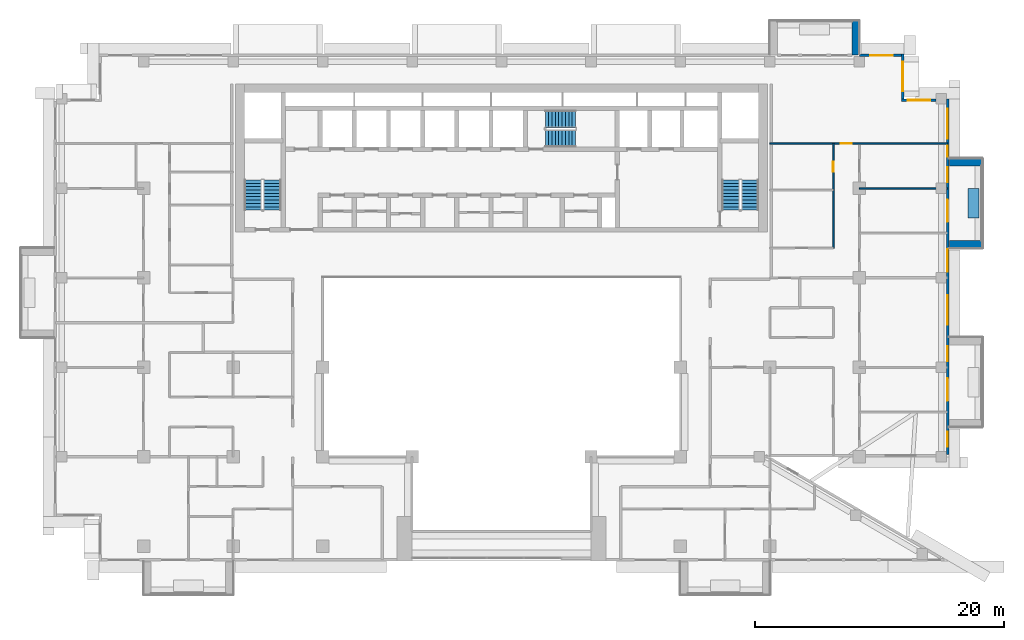
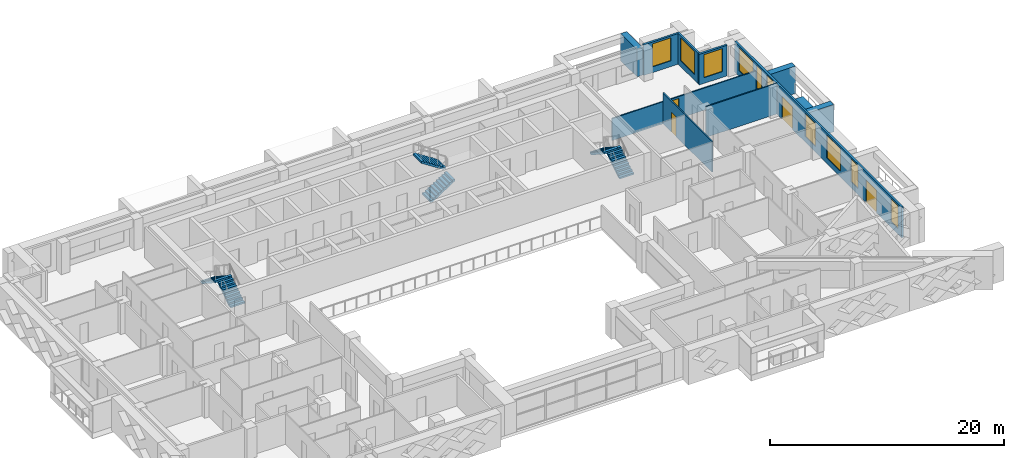
# One storey, part 12 of 19: 11 walls, 10 windows, 6 stair flights, 4 doors, 14 openings, 3 elements without a shape of their own.
"""IFC4 building model written with IfcOpenShell, lengths in metres."""

import ifcopenshell
import ifcopenshell.guid

model = None  # the IFC model being written
_history = None  # IfcOwnerHistory: only IFC2X3 demands one
_inside = {}  # id of a spatial element -> (the spatial element, [elements in it])
_under = {}  # id of a project, library or spatial element -> (it, [spatial elements below it])
_declared = {}  # id of a project -> (the project, [libraries it declares])
_typed = {}  # id of a type object -> (the type object, [elements of that type])
_made_of = {}  # id of a material, layer set ... -> (it, [elements and type objects made of it])


def new_model(schema):
    """Start an empty IFC model of exactly this schema.

    Asked for "IFC4X3", IfcOpenShell would pick the latest addendum, in which some entities
    have other attributes; the version numbers below select the first issue.
    IFC2X3 requires an IfcOwnerHistory on every rooted entity: one is made here for all.
    """
    global model, _history
    if schema == "IFC4X3":
        model = ifcopenshell.file(schema_version=(4, 3, 0, 0))
    else:
        model = ifcopenshell.file(schema=schema)
    _inside.clear()
    _under.clear()
    _declared.clear()
    _typed.clear()
    _made_of.clear()
    _history = None
    if model.schema == "IFC2X3":
        org = make("IfcOrganization", Name="unknown")
        user = make(
            "IfcPersonAndOrganization",
            ThePerson=make("IfcPerson", FamilyName="unknown"),
            TheOrganization=org,
        )
        app = make(
            "IfcApplication",
            ApplicationDeveloper=org,
            Version="unknown",
            ApplicationFullName="unknown",
            ApplicationIdentifier="unknown",
        )
        _history = make(
            "IfcOwnerHistory",
            OwningUser=user,
            OwningApplication=app,
            ChangeAction="ADDED",
            CreationDate=0,
        )
    return model


def make(cls, **values):
    """One entity of the class cls with the attributes given. An attribute that is None is left unset."""
    return model.create_entity(
        cls, **{name: value for name, value in values.items() if value is not None}
    )


def rooted(cls, **values):
    """An entity with a GlobalId (a new one), such as an element, a storey or a relation."""
    return make(cls, GlobalId=ifcopenshell.guid.new(), OwnerHistory=_history, **values)


def si_unit(unit_type, name, prefix=None):
    """IfcSIUnit, for example si_unit("LENGTHUNIT", "METRE", prefix="MILLI")."""
    return make("IfcSIUnit", UnitType=unit_type, Prefix=prefix, Name=name)


def assignment(units):
    """IfcUnitAssignment: the units of a project."""
    return None if units is None else make("IfcUnitAssignment", Units=units)


def point(xyz):
    """IfcCartesianPoint."""
    return None if xyz is None else make("IfcCartesianPoint", Coordinates=xyz)


def direction(xyz):
    """IfcDirection."""
    return None if xyz is None else make("IfcDirection", DirectionRatios=xyz)


def frame(location, z_axis=None, x_axis=None):
    """IfcAxis2Placement3D, a coordinate frame: its origin and axes. An axis left out is left unset."""
    return make(
        "IfcAxis2Placement3D",
        Location=point(location),
        Axis=direction(z_axis),
        RefDirection=direction(x_axis),
    )


def frame_2d(location, x_axis=None):
    """IfcAxis2Placement2D, a coordinate frame in the plane: its origin and x axis."""
    return make(
        "IfcAxis2Placement2D", Location=point(location), RefDirection=direction(x_axis)
    )


def origin():
    """The frame at (0, 0, 0) with its axes left unset."""
    return frame((0.0, 0.0, 0.0))


def place(relative_to, where):
    """IfcLocalPlacement: puts the frame where relative to a parent placement (None: the world)."""
    return make(
        "IfcLocalPlacement", PlacementRelTo=relative_to, RelativePlacement=where
    )


def context(
    kind, dimensions, precision=None, world=None, true_north=None, identifier=None
):
    """IfcGeometricRepresentationContext, for example the 3D "Model" context."""
    return make(
        "IfcGeometricRepresentationContext",
        ContextIdentifier=identifier,
        ContextType=kind,
        CoordinateSpaceDimension=dimensions,
        Precision=precision,
        WorldCoordinateSystem=world,
        TrueNorth=true_north,
    )


def subcontext(parent, identifier, kind, view, scale=None):
    """IfcGeometricRepresentationSubContext, for example "Body" below "Model"."""
    return make(
        "IfcGeometricRepresentationSubContext",
        ContextIdentifier=identifier,
        ContextType=kind,
        ParentContext=parent,
        TargetScale=scale,
        TargetView=view,
    )


def project(units=None, contexts=None):
    """IfcProject with its units and contexts."""
    return rooted(
        "IfcProject",
        Name="project",
        RepresentationContexts=contexts,
        UnitsInContext=assignment(units),
    )


def spatial(cls, under=None, at=None, **own):
    """A site, building, storey or space (cls), placed at a placement, below another one or the project."""
    s = rooted(cls, ObjectPlacement=at, **own)
    if under is not None:
        _under.setdefault(under.id(), (under, []))[1].append(s)
    return s


def polyline(points):
    """IfcPolyline through the points."""
    return make("IfcPolyline", Points=[point(p) for p in points])


def profile(cls, at=None, kind="AREA", **sizes):
    """A parametric profile (cls). Its sizes go by their IFC names, for example OverallWidth=200.0."""
    return make(cls, ProfileType=kind, Position=at, **sizes)


def rectangle(**sizes):
    """IfcRectangleProfileDef."""
    return profile("IfcRectangleProfileDef", **sizes)


def outline(outer, holes=None, kind="AREA"):
    """IfcArbitraryClosedProfileDef: a profile drawn as a closed curve; with holes, ...WithVoids."""
    if holes is None:
        return make("IfcArbitraryClosedProfileDef", ProfileType=kind, OuterCurve=outer)
    return make(
        "IfcArbitraryProfileDefWithVoids",
        ProfileType=kind,
        OuterCurve=outer,
        InnerCurves=holes,
    )


def extrude(swept, where, along, depth):
    """IfcExtrudedAreaSolid: the profile swept, set in the frame where, extruded along a direction by depth."""
    return make(
        "IfcExtrudedAreaSolid",
        SweptArea=swept,
        Position=where,
        ExtrudedDirection=direction(along),
        Depth=depth,
    )


def shape(context_of_items, identifier, shape_type, items):
    """IfcShapeRepresentation: the items that make up one representation, for example the "Body"."""
    return make(
        "IfcShapeRepresentation",
        ContextOfItems=context_of_items,
        RepresentationIdentifier=identifier,
        RepresentationType=shape_type,
        Items=items,
    )


def material(Name=None, Category=None):
    """IfcMaterial."""
    return make("IfcMaterial", Name=Name, Category=Category)


def layer(
    of_material, thickness, ventilated=None, Name=None, Category=None, Priority=None
):
    """IfcMaterialLayer: one layer of a wall or slab, of a material (None: an air gap)."""
    return make(
        "IfcMaterialLayer",
        Material=of_material,
        LayerThickness=thickness,
        IsVentilated=ventilated,
        Name=Name,
        Category=Category,
        Priority=Priority,
    )


def layer_set(layers, Name=None):
    """IfcMaterialLayerSet."""
    return make("IfcMaterialLayerSet", MaterialLayers=layers, LayerSetName=Name)


def made_of(thing, what):
    """Note that an element or type object is made of a material, layer set ...; save() writes the relation."""
    if what is not None:
        _made_of.setdefault(what.id(), (what, []))[1].append(thing)
    return thing


def type_object(cls, material=None, **own):
    """A type object (cls), such as IfcWallType, which elements share."""
    return made_of(rooted(cls, **own), material)


def element(
    cls,
    number,
    at=None,
    inside=None,
    cuts=None,
    type_object=None,
    material=None,
    context=None,
    identifier="Body",
    shape_type=None,
    held_by="IfcProductDefinitionShape",
    body=None,
    shapes=None,
    **own,
):
    """One element of the class cls, such as IfcWall. Its Tag is "e" and its number.

    at: its placement. inside: the storey or other place that contains it. cuts: it is an
    opening in that element (IfcRelVoidsElement). A single representation is given by context,
    identifier, shape_type and body (its items); several are given by shapes. held_by: the class
    of the entity that holds the representations. save() writes the other relations.
    """
    e = rooted(cls, Tag="e%d" % number, ObjectPlacement=at, **own)
    if body is not None:
        shapes = [shape(context, identifier, shape_type, body)]
    if shapes is not None:
        e.Representation = make(held_by, Representations=shapes)
    if inside is not None:
        _inside.setdefault(inside.id(), (inside, []))[1].append(e)
    if cuts is not None:
        rooted(
            "IfcRelVoidsElement", RelatingBuildingElement=cuts, RelatedOpeningElement=e
        )
    if type_object is not None:
        _typed.setdefault(type_object.id(), (type_object, []))[1].append(e)
    return made_of(e, material)


def fill(opening, filler):
    """IfcRelFillsElement: the door or window that sits in an opening."""
    return rooted(
        "IfcRelFillsElement",
        RelatingOpeningElement=opening,
        RelatedBuildingElement=filler,
    )


def aggregate(whole, parts):
    """IfcRelAggregates: a whole, such as a stair, and the parts it consists of."""
    return rooted("IfcRelAggregates", RelatingObject=whole, RelatedObjects=parts)


def save(model, path):
    """Write the relations noted so far, then the file.

    IfcRelAggregates (storeys below a building ...), IfcRelContainedInSpatialStructure (elements
    in a storey), IfcRelDefinesByType, IfcRelAssociatesMaterial and IfcRelDeclares: one each for
    every whole, place, type object, material and project.
    """
    for whole, parts in _under.values():
        aggregate(whole, parts)
    for where, things in _inside.values():
        rooted(
            "IfcRelContainedInSpatialStructure",
            RelatedElements=things,
            RelatingStructure=where,
        )
    for kind, things in _typed.values():
        rooted("IfcRelDefinesByType", RelatedObjects=things, RelatingType=kind)
    for what, things in _made_of.values():
        rooted("IfcRelAssociatesMaterial", RelatedObjects=things, RelatingMaterial=what)
    for by, libraries in _declared.values():
        rooted("IfcRelDeclares", RelatingContext=by, RelatedDefinitions=libraries)
    model.write(path)


model = new_model("IFC4")

# Units and contexts
model_context = context("Model", 3, precision=1e-05, world=origin(), true_north=direction((0.0, 1.0)))
body_context = subcontext(model_context, "Body", "Model", "MODEL_VIEW")
ifc_project = project(units=[si_unit("LENGTHUNIT", "METRE"), si_unit("AREAUNIT", "SQUARE_METRE"), si_unit("VOLUMEUNIT", "CUBIC_METRE"), si_unit("PLANEANGLEUNIT", "RADIAN"), si_unit("MASSUNIT", "GRAM", prefix="KILO")], contexts=[model_context])

# Site, building, storey
site_placement = place(None, origin())
site = spatial("IfcSite", under=ifc_project, at=site_placement, CompositionType="ELEMENT")
building_placement = place(site_placement, origin())
building = spatial("IfcBuilding", under=site, at=building_placement, Name="Saffron Iwan Residences", CompositionType="ELEMENT")
storey_placement = place(building_placement, frame((0.0, 0.0, 160.5)))
storey = spatial("IfcBuildingStorey", under=building, at=storey_placement, Name="L42", CompositionType="ELEMENT", Elevation=160.5)

# Walls
ifc_material_1 = material(Name="Concrete C50/60 white painted", Category="concrete")
ifc_layer_1 = layer(ifc_material_1, 0.60009765625)
ifc_layer_set_1 = layer_set([ifc_layer_1], Name="Concrete C50/60 white painted")
wall_type_1 = type_object("IfcWallType", Name="BALCONY FIN 600", PredefinedType="SOLIDWALL", material=ifc_layer_set_1)
for number, where, z_axis, x_axis, name in (
    (1, (86.449951171875, 65.10009765625, 0.0), (0.0, 0.0, 1.0), (1.0, 0.0, 0.0), "Balcony fin L42 F2-1a"),
    (2, (86.449951171875, 71.699951171875, 0.0), (0.0, 0.0, 1.0), (1.0, 0.0, 0.0), "Balcony fin L42 F2-1b"),
):
    element("IfcWall", number, at=place(storey_placement, frame(where, z_axis=z_axis, x_axis=x_axis)), inside=storey, type_object=wall_type_1, Name=name, PredefinedType="SOLIDWALL", context=body_context, shape_type="SweptSolid", body=[
        extrude(rectangle(XDim=2.650146484375, YDim=0.60009765625, at=frame_2d((1.3251953125, 0.0))), origin(), (0.0, 0.0, 1.0), 2.85009765625),
    ])
wall_1_placement = place(storey_placement, frame((78.89990234375, 80.324951171875, 0.0), z_axis=(0.0, 0.0, 1.0), x_axis=(0.0, 1.0, 0.0)))
element("IfcWall", 3, at=wall_1_placement, inside=storey, type_object=wall_type_1, Name="Balcony fin L42 F5-0a", PredefinedType="SOLIDWALL", context=body_context, shape_type="SweptSolid", body=[
    extrude(rectangle(XDim=2.775146484375, YDim=0.60009765625, at=frame_2d((1.3876953125, 0.0))), origin(), (0.0, 0.0, 1.0), 2.85009765625),
])
ifc_material_2 = material(Name="Concrete C35/45 white painted", Category="concrete")
ifc_layer_2 = layer(ifc_material_2, 0.14990234375)
ifc_layer_set_2 = layer_set([ifc_layer_2], Name="Concrete C35/45 white painted")
wall_type_2 = type_object("IfcWallType", Name="BALCONY PLANTER", PredefinedType="SOLIDWALL", material=ifc_layer_set_2)
wall_2_placement = place(storey_placement, frame((88.375, 67.199951171875, 0.0), z_axis=(0.0, 0.0, 1.0), x_axis=(0.0, 1.0, 0.0)))
element("IfcWall", 4, at=wall_2_placement, inside=storey, type_object=wall_type_2, Name="PLANTER L42 F2-1", PredefinedType="SOLIDWALL", context=body_context, shape_type="SweptSolid", body=[
    extrude(rectangle(XDim=2.400146484375, YDim=0.89990234375, at=frame_2d((1.2001953125, 0.0))), origin(), (0.0, 0.0, 1.0), 0.89990234375),
])

# Wall, openings, doors, windows
ifc_material_3 = material(Name="Concrete C40/50", Category="concrete")
ifc_layer_3 = layer(ifc_material_3, 0.199951171875)
ifc_layer_set_3 = layer_set([ifc_layer_3], Name="Concrete C40/50")
wall_type_3 = type_object("IfcWallType", Name="EXTERNAL WALL 200", PredefinedType="SOLIDWALL", material=ifc_layer_set_3)
wall_3_placement = place(storey_placement, frame((86.300048828125, 48.199951171875, 0.0), z_axis=(0.0, 0.0, 1.0), x_axis=(0.0, 1.0, 0.0)))
wall_3 = element("IfcWall", 5, at=wall_3_placement, inside=storey, type_object=wall_type_3, Name="External wall L42 F2.0", PredefinedType="SOLIDWALL", context=body_context, shape_type="SweptSolid", body=[
    extrude(rectangle(XDim=28.60009765625, YDim=0.199951171875, at=frame_2d((14.300048828125, 0.0))), origin(), (0.0, 0.0, 1.0), 3.199951171875),
])
opening_1_placement = place(wall_3_placement, frame((4.300048828125, 0.0, 0.0)))
opening_1 = element("IfcOpeningElement", 6, at=opening_1_placement, cuts=wall_3, Name="Opening BD1", PredefinedType="OPENING", context=body_context, shape_type="SweptSolid", body=[
    extrude(rectangle(XDim=1.800048828125, YDim=2.39990234375, at=frame_2d((0.89990234375, 1.199951171875))), frame((0.0, 0.10986328125, 0.0), z_axis=(0.0, -1.0, 0.0), x_axis=(1.0, 0.0, 0.0)), (0.0, 0.0, 1.0), 0.219970703125),
])
opening_2_placement = place(wall_3_placement, frame((18.699951171875, 0.0, 0.0)))
opening_2 = element("IfcOpeningElement", 7, at=opening_2_placement, cuts=wall_3, Name="Opening BD1", PredefinedType="OPENING", context=body_context, shape_type="SweptSolid", body=[
    extrude(rectangle(XDim=1.800048828125, YDim=2.39990234375, at=frame_2d((0.89990234375, 1.199951171875))), frame((0.0, 0.10986328125, 0.0), z_axis=(0.0, -1.0, 0.0), x_axis=(1.0, 0.0, 0.0)), (0.0, 0.0, 1.0), 0.219970703125),
])
opening_3_placement = place(wall_3_placement, frame((0.60009765625, 0.0, 0.60009765625)))
opening_3 = element("IfcOpeningElement", 8, at=opening_3_placement, cuts=wall_3, Name="Opening W3", PredefinedType="OPENING", context=body_context, shape_type="SweptSolid", body=[
    extrude(rectangle(XDim=1.199951171875, YDim=2.39990234375, at=frame_2d((0.60009765625, 1.199951171875))), frame((0.0, 0.10986328125, 0.0), z_axis=(0.0, -1.0, 0.0), x_axis=(1.0, 0.0, 0.0)), (0.0, 0.0, 1.0), 0.219970703125),
])
opening_4_placement = place(wall_3_placement, frame((7.487548828125, 0.0, 0.60009765625)))
opening_4 = element("IfcOpeningElement", 9, at=opening_4_placement, cuts=wall_3, Name="Opening W3", PredefinedType="OPENING", context=body_context, shape_type="SweptSolid", body=[
    extrude(rectangle(XDim=1.199951171875, YDim=2.39990234375, at=frame_2d((0.60009765625, 1.199951171875))), frame((0.0, 0.10986328125, 0.0), z_axis=(0.0, -1.0, 0.0), x_axis=(1.0, 0.0, 0.0)), (0.0, 0.0, 1.0), 0.219970703125),
])
opening_5_placement = place(wall_3_placement, frame((10.41259765625, 0.0, 0.60009765625)))
opening_5 = element("IfcOpeningElement", 10, at=opening_5_placement, cuts=wall_3, Name="Opening W1", PredefinedType="OPENING", context=body_context, shape_type="SweptSolid", body=[
    extrude(rectangle(XDim=2.39990234375, YDim=2.39990234375, at=frame_2d((1.199951171875, 1.199951171875))), frame((0.0, 0.10986328125, 0.0), z_axis=(0.0, -1.0, 0.0), x_axis=(1.0, 0.0, 0.0)), (0.0, 0.0, 1.0), 0.219970703125),
])
opening_6_placement = place(wall_3_placement, frame((14.6875, 0.0, 0.60009765625)))
opening_6 = element("IfcOpeningElement", 11, at=opening_6_placement, cuts=wall_3, Name="Opening W8", PredefinedType="OPENING", context=body_context, shape_type="SweptSolid", body=[
    extrude(rectangle(XDim=1.800048828125, YDim=2.39990234375, at=frame_2d((0.89990234375, 1.199951171875))), frame((0.0, 0.10986328125, 0.0), z_axis=(0.0, -1.0, 0.0), x_axis=(1.0, 0.0, 0.0)), (0.0, 0.0, 1.0), 0.219970703125),
])
opening_7_placement = place(wall_3_placement, frame((21.887451171875, 0.0, 0.60009765625)))
opening_7 = element("IfcOpeningElement", 12, at=opening_7_placement, cuts=wall_3, Name="Opening W3", PredefinedType="OPENING", context=body_context, shape_type="SweptSolid", body=[
    extrude(rectangle(XDim=1.199951171875, YDim=2.39990234375, at=frame_2d((0.60009765625, 1.199951171875))), frame((0.0, 0.10986328125, 0.0), z_axis=(0.0, -1.0, 0.0), x_axis=(1.0, 0.0, 0.0)), (0.0, 0.0, 1.0), 0.219970703125),
])
opening_8_placement = place(wall_3_placement, frame((23.949951171875, 0.0, 0.60009765625)))
opening_8 = element("IfcOpeningElement", 13, at=opening_8_placement, cuts=wall_3, Name="Opening W10", PredefinedType="OPENING", context=body_context, shape_type="SweptSolid", body=[
    extrude(rectangle(XDim=0.89990234375, YDim=2.39990234375, at=frame_2d((0.449951171875, 1.199951171875))), frame((0.0, 0.10986328125, 0.0), z_axis=(0.0, -1.0, 0.0), x_axis=(1.0, 0.0, 0.0)), (0.0, 0.0, 1.0), 0.219970703125),
])
opening_9_placement = place(wall_3_placement, frame((25.41259765625, 0.0, 0.60009765625)))
opening_9 = element("IfcOpeningElement", 14, at=opening_9_placement, cuts=wall_3, Name="Opening W1", PredefinedType="OPENING", context=body_context, shape_type="SweptSolid", body=[
    extrude(rectangle(XDim=2.39990234375, YDim=2.39990234375, at=frame_2d((1.199951171875, 1.199951171875))), frame((0.0, 0.10986328125, 0.0), z_axis=(0.0, -1.0, 0.0), x_axis=(1.0, 0.0, 0.0)), (0.0, 0.0, 1.0), 0.219970703125),
])
ifc_material_4 = material(Name="Clear glass, laminated double glazed", Category="glass")
door_type_1 = type_object("IfcDoorType", Name="BALCONY DOOR 1800 x 2400", OperationType="DOUBLE_DOOR_SLIDING", PredefinedType="DOOR", material=ifc_material_4)
door_1_placement = place(opening_1_placement, origin())
door_1 = element("IfcDoor", 15, at=door_1_placement, inside=storey, type_object=door_type_1, Name="Balcony door L42 F2.0", OperationType="DOUBLE_DOOR_SLIDING", OverallHeight=2.39990234375, OverallWidth=1.800048828125, PredefinedType="DOOR", context=body_context, shape_type="SweptSolid", body=[
    extrude(rectangle(XDim=1.800048828125, YDim=2.39990234375, at=frame_2d((0.89990234375, 1.199951171875))), frame((0.0, 0.02490234375, 0.0), z_axis=(0.0, -1.0, 0.0), x_axis=(1.0, 0.0, 0.0)), (0.0, 0.0, 1.0), 0.050048828125),
])
fill(opening_1, door_1)
door_2_placement = place(opening_2_placement, origin())
door_2 = element("IfcDoor", 16, at=door_2_placement, inside=storey, type_object=door_type_1, Name="Balcony door L42 F2.1", OperationType="DOUBLE_DOOR_SLIDING", OverallHeight=2.39990234375, OverallWidth=1.800048828125, PredefinedType="DOOR", context=body_context, shape_type="SweptSolid", body=[
    extrude(rectangle(XDim=1.800048828125, YDim=2.39990234375, at=frame_2d((0.89990234375, 1.199951171875))), frame((0.0, 0.02490234375, 0.0), z_axis=(0.0, -1.0, 0.0), x_axis=(1.0, 0.0, 0.0)), (0.0, 0.0, 1.0), 0.050048828125),
])
fill(opening_2, door_2)
window_type_1 = type_object("IfcWindowType", Name="WINDOW 1200 x 2400", PartitioningType="SINGLE_PANEL", PredefinedType="WINDOW", material=ifc_material_4)
window_1_placement = place(opening_3_placement, origin())
window_1 = element("IfcWindow", 17, at=window_1_placement, inside=storey, type_object=window_type_1, Name="Window L42 F2.2", OverallHeight=2.39990234375, OverallWidth=1.199951171875, PartitioningType="SINGLE_PANEL", PredefinedType="WINDOW", context=body_context, shape_type="SweptSolid", body=[
    extrude(rectangle(XDim=1.199951171875, YDim=2.39990234375, at=frame_2d((0.60009765625, 1.199951171875))), frame((0.0, 0.030029296875, 0.0), z_axis=(0.0, -1.0, 0.0), x_axis=(1.0, 0.0, 0.0)), (0.0, 0.0, 1.0), 0.06005859375),
])
fill(opening_3, window_1)
window_2_placement = place(opening_4_placement, origin())
window_2 = element("IfcWindow", 18, at=window_2_placement, inside=storey, type_object=window_type_1, Name="Window L42 F2.3", OverallHeight=2.39990234375, OverallWidth=1.199951171875, PartitioningType="SINGLE_PANEL", PredefinedType="WINDOW", context=body_context, shape_type="SweptSolid", body=[
    extrude(rectangle(XDim=1.199951171875, YDim=2.39990234375, at=frame_2d((0.60009765625, 1.199951171875))), frame((0.0, 0.030029296875, 0.0), z_axis=(0.0, -1.0, 0.0), x_axis=(1.0, 0.0, 0.0)), (0.0, 0.0, 1.0), 0.06005859375),
])
fill(opening_4, window_2)
window_3_placement = place(opening_7_placement, origin())
window_3 = element("IfcWindow", 19, at=window_3_placement, inside=storey, type_object=window_type_1, Name="Window L42 F2.6", OverallHeight=2.39990234375, OverallWidth=1.199951171875, PartitioningType="SINGLE_PANEL", PredefinedType="WINDOW", context=body_context, shape_type="SweptSolid", body=[
    extrude(rectangle(XDim=1.199951171875, YDim=2.39990234375, at=frame_2d((0.60009765625, 1.199951171875))), frame((0.0, 0.030029296875, 0.0), z_axis=(0.0, -1.0, 0.0), x_axis=(1.0, 0.0, 0.0)), (0.0, 0.0, 1.0), 0.06005859375),
])
fill(opening_7, window_3)
window_type_2 = type_object("IfcWindowType", Name="WINDOW 1800 x 2400", PartitioningType="DOUBLE_PANEL_VERTICAL", PredefinedType="WINDOW", material=ifc_material_4)
window_4_placement = place(opening_6_placement, origin())
window_4 = element("IfcWindow", 20, at=window_4_placement, inside=storey, type_object=window_type_2, Name="Window L42 F2.5", OverallHeight=2.39990234375, OverallWidth=1.800048828125, PartitioningType="DOUBLE_PANEL_VERTICAL", PredefinedType="WINDOW", context=body_context, shape_type="SweptSolid", body=[
    extrude(rectangle(XDim=1.800048828125, YDim=2.39990234375, at=frame_2d((0.89990234375, 1.199951171875))), frame((0.0, 0.030029296875, 0.0), z_axis=(0.0, -1.0, 0.0), x_axis=(1.0, 0.0, 0.0)), (0.0, 0.0, 1.0), 0.06005859375),
])
fill(opening_6, window_4)
window_type_3 = type_object("IfcWindowType", Name="WINDOW 2400 x 2400", PartitioningType="DOUBLE_PANEL_VERTICAL", PredefinedType="WINDOW", material=ifc_material_4)
window_5_placement = place(opening_5_placement, origin())
window_5 = element("IfcWindow", 21, at=window_5_placement, inside=storey, type_object=window_type_3, Name="Window L42 F2.4", OverallHeight=2.39990234375, OverallWidth=2.39990234375, PartitioningType="DOUBLE_PANEL_VERTICAL", PredefinedType="WINDOW", context=body_context, shape_type="SweptSolid", body=[
    extrude(rectangle(XDim=2.39990234375, YDim=2.39990234375, at=frame_2d((1.199951171875, 1.199951171875))), frame((0.0, 0.030029296875, 0.0), z_axis=(0.0, -1.0, 0.0), x_axis=(1.0, 0.0, 0.0)), (0.0, 0.0, 1.0), 0.06005859375),
])
fill(opening_5, window_5)
window_6_placement = place(opening_9_placement, origin())
window_6 = element("IfcWindow", 22, at=window_6_placement, inside=storey, type_object=window_type_3, Name="Window L42 F2.8", OverallHeight=2.39990234375, OverallWidth=2.39990234375, PartitioningType="DOUBLE_PANEL_VERTICAL", PredefinedType="WINDOW", context=body_context, shape_type="SweptSolid", body=[
    extrude(rectangle(XDim=2.39990234375, YDim=2.39990234375, at=frame_2d((1.199951171875, 1.199951171875))), frame((0.0, 0.030029296875, 0.0), z_axis=(0.0, -1.0, 0.0), x_axis=(1.0, 0.0, 0.0)), (0.0, 0.0, 1.0), 0.06005859375),
])
fill(opening_9, window_6)
window_type_4 = type_object("IfcWindowType", Name="WINDOW 900 x 2400", PartitioningType="SINGLE_PANEL", PredefinedType="WINDOW", material=ifc_material_4)
window_7_placement = place(opening_8_placement, origin())
window_7 = element("IfcWindow", 23, at=window_7_placement, inside=storey, type_object=window_type_4, Name="Window L42 F2.7", OverallHeight=2.39990234375, OverallWidth=0.89990234375, PartitioningType="SINGLE_PANEL", PredefinedType="WINDOW", context=body_context, shape_type="SweptSolid", body=[
    extrude(rectangle(XDim=0.89990234375, YDim=2.39990234375, at=frame_2d((0.449951171875, 1.199951171875))), frame((0.0, 0.030029296875, 0.0), z_axis=(0.0, -1.0, 0.0), x_axis=(1.0, 0.0, 0.0)), (0.0, 0.0, 1.0), 0.06005859375),
])
fill(opening_8, window_7)

# Wall, opening, window
wall_4_placement = place(storey_placement, frame((85.375, 76.699951171875, 0.0), z_axis=(0.0, 0.0, 1.0), x_axis=(-1.0, 0.0, 0.0)))
wall_4 = element("IfcWall", 24, at=wall_4_placement, inside=storey, type_object=wall_type_3, Name="External wall L42 F3.0", PredefinedType="SOLIDWALL", context=body_context, shape_type="SweptSolid", body=[
    extrude(rectangle(XDim=2.77490234375, YDim=0.199951171875, at=frame_2d((1.387451171875, 0.0))), origin(), (0.0, 0.0, 1.0), 3.199951171875),
])
opening_10_placement = place(wall_4_placement, frame((0.487548828125, 0.0, 0.60009765625)))
opening_10 = element("IfcOpeningElement", 25, at=opening_10_placement, cuts=wall_4, Name="Opening W8", PredefinedType="OPENING", context=body_context, shape_type="SweptSolid", body=[
    extrude(rectangle(XDim=1.800048828125, YDim=2.39990234375, at=frame_2d((0.89990234375, 1.199951171875))), frame((0.0, 0.10986328125, 0.0), z_axis=(0.0, -1.0, 0.0), x_axis=(1.0, 0.0, 0.0)), (0.0, 0.0, 1.0), 0.219970703125),
])
window_8_placement = place(opening_10_placement, origin())
window_8 = element("IfcWindow", 26, at=window_8_placement, inside=storey, type_object=window_type_2, Name="Window L42 F3.0", OverallHeight=2.39990234375, OverallWidth=1.800048828125, PartitioningType="DOUBLE_PANEL_VERTICAL", PredefinedType="WINDOW", context=body_context, shape_type="SweptSolid", body=[
    extrude(rectangle(XDim=1.800048828125, YDim=2.39990234375, at=frame_2d((0.89990234375, 1.199951171875))), frame((0.0, 0.030029296875, 0.0), z_axis=(0.0, -1.0, 0.0), x_axis=(1.0, 0.0, 0.0)), (0.0, 0.0, 1.0), 0.06005859375),
])
fill(opening_10, window_8)

wall_5_placement = place(storey_placement, frame((82.699951171875, 76.800048828125, 0.0), z_axis=(0.0, 0.0, 1.0), x_axis=(0.0, 1.0, 0.0)))
wall_5 = element("IfcWall", 27, at=wall_5_placement, inside=storey, type_object=wall_type_3, Name="External wall L42 F4.0", PredefinedType="SOLIDWALL", context=body_context, shape_type="SweptSolid", body=[
    extrude(rectangle(XDim=3.599853515625, YDim=0.199951171875, at=frame_2d((1.7998046875, 0.0))), origin(), (0.0, 0.0, 1.0), 3.199951171875),
])
opening_11_placement = place(wall_5_placement, frame((0.60009765625, 0.0, 0.60009765625)))
opening_11 = element("IfcOpeningElement", 28, at=opening_11_placement, cuts=wall_5, Name="Opening W1", PredefinedType="OPENING", context=body_context, shape_type="SweptSolid", body=[
    extrude(rectangle(XDim=2.39990234375, YDim=2.39990234375, at=frame_2d((1.199951171875, 1.199951171875))), frame((0.0, 0.10986328125, 0.0), z_axis=(0.0, -1.0, 0.0), x_axis=(1.0, 0.0, 0.0)), (0.0, 0.0, 1.0), 0.219970703125),
])
window_9_placement = place(opening_11_placement, origin())
window_9 = element("IfcWindow", 29, at=window_9_placement, inside=storey, type_object=window_type_3, Name="Window L42 F4.0", OverallHeight=2.39990234375, OverallWidth=2.39990234375, PartitioningType="DOUBLE_PANEL_VERTICAL", PredefinedType="WINDOW", context=body_context, shape_type="SweptSolid", body=[
    extrude(rectangle(XDim=2.39990234375, YDim=2.39990234375, at=frame_2d((1.199951171875, 1.199951171875))), frame((0.0, 0.030029296875, 0.0), z_axis=(0.0, -1.0, 0.0), x_axis=(1.0, 0.0, 0.0)), (0.0, 0.0, 1.0), 0.06005859375),
])
fill(opening_11, window_9)

wall_6_placement = place(storey_placement, frame((82.60009765625, 80.300048828125, 0.0), z_axis=(0.0, 0.0, 1.0), x_axis=(-1.0, 0.0, 0.0)))
wall_6 = element("IfcWall", 30, at=wall_6_placement, inside=storey, type_object=wall_type_3, Name="External wall L42 F5.0", PredefinedType="SOLIDWALL", context=body_context, shape_type="SweptSolid", body=[
    extrude(rectangle(XDim=3.400146484375, YDim=0.199951171875, at=frame_2d((1.7001953125, 0.0))), origin(), (0.0, 0.0, 1.0), 3.199951171875),
])
opening_12_placement = place(wall_6_placement, frame((0.71240234375, 0.0, 0.60009765625)))
opening_12 = element("IfcOpeningElement", 31, at=opening_12_placement, cuts=wall_6, Name="Opening W8", PredefinedType="OPENING", context=body_context, shape_type="SweptSolid", body=[
    extrude(rectangle(XDim=1.800048828125, YDim=2.39990234375, at=frame_2d((0.89990234375, 1.199951171875))), frame((0.0, 0.10986328125, 0.0), z_axis=(0.0, -1.0, 0.0), x_axis=(1.0, 0.0, 0.0)), (0.0, 0.0, 1.0), 0.219970703125),
])
window_10_placement = place(opening_12_placement, origin())
window_10 = element("IfcWindow", 32, at=window_10_placement, inside=storey, type_object=window_type_2, Name="Window L42 F5.0", OverallHeight=2.39990234375, OverallWidth=1.800048828125, PartitioningType="DOUBLE_PANEL_VERTICAL", PredefinedType="WINDOW", context=body_context, shape_type="SweptSolid", body=[
    extrude(rectangle(XDim=1.800048828125, YDim=2.39990234375, at=frame_2d((0.89990234375, 1.199951171875))), frame((0.0, 0.030029296875, 0.0), z_axis=(0.0, -1.0, 0.0), x_axis=(1.0, 0.0, 0.0)), (0.0, 0.0, 1.0), 0.06005859375),
])
fill(opening_12, window_10)

# Wall
ifc_material_5 = material(Name="Gypsum board partition")
ifc_layer_4 = layer(ifc_material_5, 0.1201171875)
ifc_layer_set_4 = layer_set([ifc_layer_4], Name="Gypsum board partition")
wall_type_4 = type_object("IfcWallType", Name="Flat partition 120", PredefinedType="PARTITIONING", material=ifc_layer_set_4)
wall_7_placement = place(storey_placement, frame((79.199951171875, 69.60009765625, 0.0), z_axis=(0.0, 0.0, 1.0), x_axis=(1.0, 0.0, 0.0)))
element("IfcWall", 33, at=wall_7_placement, inside=storey, type_object=wall_type_4, Name="W-L42-PART-h69.6-79.2", PredefinedType="PARTITIONING", context=body_context, shape_type="SweptSolid", body=[
    extrude(rectangle(XDim=7.074951171875, YDim=0.1201171875, at=frame_2d((3.53759765625, 0.0))), origin(), (0.0, 0.0, 1.0), 3.199951171875),
])

# Wall, opening, door
wall_8_placement = place(storey_placement, frame((72.0, 73.199951171875, 0.0), z_axis=(0.0, 0.0, 1.0), x_axis=(1.0, 0.0, 0.0)))
wall_8 = element("IfcWall", 34, at=wall_8_placement, inside=storey, type_object=wall_type_4, Name="W-L42-PART-h73.2-72", PredefinedType="PARTITIONING", context=body_context, shape_type="SweptSolid", body=[
    extrude(rectangle(XDim=14.27490234375, YDim=0.1201171875, at=frame_2d((7.137451171875, 0.0))), origin(), (0.0, 0.0, 1.0), 2.300048828125),
])
opening_13_placement = place(wall_8_placement, frame((5.699951171875, 0.0, 0.0)))
opening_13 = element("IfcOpeningElement", 35, at=opening_13_placement, cuts=wall_8, Name="Opening FD2", PredefinedType="OPENING", context=body_context, shape_type="SweptSolid", body=[
    extrude(rectangle(XDim=0.89990234375, YDim=2.10009765625, at=frame_2d((0.449951171875, 1.050048828125))), frame((0.0, 0.070068359375, 0.0), z_axis=(0.0, -1.0, 0.0), x_axis=(1.0, 0.0, 0.0)), (0.0, 0.0, 1.0), 0.14013671875),
])
ifc_material_6 = material(Name="Timber door", Category="wood")
door_type_2 = type_object("IfcDoorType", Name="Flat door 900", OperationType="NOTDEFINED", PredefinedType="DOOR", material=ifc_material_6)
door_3_placement = place(opening_13_placement, origin())
door_3 = element("IfcDoor", 36, at=door_3_placement, inside=storey, type_object=door_type_2, Name="Door L42-036", OperationType="SINGLE_SWING_LEFT", OverallHeight=2.10009765625, OverallWidth=0.89990234375, PredefinedType="DOOR", context=body_context, shape_type="SweptSolid", body=[
    extrude(rectangle(XDim=0.89990234375, YDim=2.10009765625, at=frame_2d((0.449951171875, 1.050048828125))), frame((0.0, 0.02490234375, 0.0), z_axis=(0.0, -1.0, 0.0), x_axis=(1.0, 0.0, 0.0)), (0.0, 0.0, 1.0), 0.050048828125),
])
fill(opening_13, door_3)

wall_9_placement = place(storey_placement, frame((77.10009765625, 64.800048828125, 0.0), z_axis=(0.0, 0.0, 1.0), x_axis=(0.0, 1.0, 0.0)))
wall_9 = element("IfcWall", 37, at=wall_9_placement, inside=storey, type_object=wall_type_4, Name="W-L42-PART-v77.1-64.8", PredefinedType="PARTITIONING", context=body_context, shape_type="SweptSolid", body=[
    extrude(rectangle(XDim=8.39990234375, YDim=0.1201171875, at=frame_2d((4.199951171875, 0.0))), origin(), (0.0, 0.0, 1.0), 3.199951171875),
])
opening_14_placement = place(wall_9_placement, frame((6.125, 0.0, 0.0)))
opening_14 = element("IfcOpeningElement", 38, at=opening_14_placement, cuts=wall_9, Name="Opening FD3", PredefinedType="OPENING", context=body_context, shape_type="SweptSolid", body=[
    extrude(rectangle(XDim=0.800048828125, YDim=2.10009765625, at=frame_2d((0.39990234375, 1.050048828125))), frame((0.0, 0.070068359375, 0.0), z_axis=(0.0, -1.0, 0.0), x_axis=(1.0, 0.0, 0.0)), (0.0, 0.0, 1.0), 0.14013671875),
])
door_type_3 = type_object("IfcDoorType", Name="Bathroom door 800", OperationType="NOTDEFINED", PredefinedType="DOOR", material=ifc_material_6)
door_4_placement = place(opening_14_placement, origin())
door_4 = element("IfcDoor", 39, at=door_4_placement, inside=storey, type_object=door_type_3, Name="Door L42-038", OperationType="SINGLE_SWING_LEFT", OverallHeight=2.10009765625, OverallWidth=0.800048828125, PredefinedType="DOOR", context=body_context, shape_type="SweptSolid", body=[
    extrude(rectangle(XDim=0.800048828125, YDim=2.10009765625, at=frame_2d((0.39990234375, 1.050048828125))), frame((0.0, 0.02490234375, 0.0), z_axis=(0.0, -1.0, 0.0), x_axis=(1.0, 0.0, 0.0)), (0.0, 0.0, 1.0), 0.050048828125),
])
fill(opening_14, door_4)

# Stair, stair flights
ifc_material_7 = material(Name="Concrete C50/60", Category="concrete")
stair_type = type_object("IfcStairType", Name="Stair ST-CORE", PredefinedType="HALF_TURN_STAIR", material=ifc_material_7)
stair_1_placement = place(storey_placement, origin())
stair_1 = element("IfcStair", 40, at=stair_1_placement, inside=storey, type_object=stair_type, Name="L42 Exit Stair ST-W", PredefinedType="HALF_TURN_STAIR")
ifc_layer_5 = layer(ifc_material_7, 0.14990234375)
ifc_layer_set_5 = layer_set([ifc_layer_5], Name="Concrete C50/60")
stair_flight_type = type_object("IfcStairFlightType", Name="Stair flight SFL-RC", PredefinedType="STRAIGHT", material=ifc_layer_set_5)
stair_flight_1_placement = place(storey_placement, frame((31.949951171875, 67.85009765625, 0.0), z_axis=(0.0, 0.0, 1.0), x_axis=(0.0, 1.0, 0.0)))
stair_flight_1 = element("IfcStairFlight", 41, at=stair_flight_1_placement, type_object=stair_flight_type, Name="ST-W flight 1", NumberOfRisers=10, NumberOfTreads=9, PredefinedType="STRAIGHT", RiserHeight=0.175, TreadLength=0.27, context=body_context, shape_type="SweptSolid", body=[
    extrude(outline(polyline([(0.0, 0.0), (0.0, 0.175048828125), (0.27001953125, 0.175048828125), (0.27001953125, 0.35009765625), (0.5400390625, 0.35009765625), (0.5400390625, 0.52490234375), (0.81005859375, 0.52490234375), (0.81005859375, 0.699951171875), (1.080078125, 0.699951171875), (1.080078125, 0.875), (1.35009765625, 0.875), (1.35009765625, 1.050048828125), (1.6201171875, 1.050048828125), (1.6201171875, 1.22509765625), (1.889892578125, 1.22509765625), (1.889892578125, 1.39990234375), (2.159912109375, 1.39990234375), (2.159912109375, 1.574951171875), (2.429931640625, 1.574951171875), (2.429931640625, 1.75), (2.429931640625, 1.396484375), (0.275634765625, 0.0), (0.0, 0.0)])), frame((0.0, 0.699951171875, 0.0), z_axis=(0.0, -1.0, 0.0), x_axis=(1.0, 0.0, 0.0)), (0.0, 0.0, 1.0), 1.39990234375),
])
stair_flight_2_placement = place(storey_placement, frame((30.39990234375, 70.280029296875, 1.75), z_axis=(0.0, 0.0, 1.0), x_axis=(0.0, -1.0, 0.0)))
stair_flight_2 = element("IfcStairFlight", 42, at=stair_flight_2_placement, type_object=stair_flight_type, Name="ST-W flight 2", NumberOfRisers=10, NumberOfTreads=9, PredefinedType="STRAIGHT", RiserHeight=0.175, TreadLength=0.27, context=body_context, shape_type="SweptSolid", body=[
    extrude(outline(polyline([(0.0, 0.0), (0.0, 0.175048828125), (0.27001953125, 0.175048828125), (0.27001953125, 0.35009765625), (0.5400390625, 0.35009765625), (0.5400390625, 0.52490234375), (0.81005859375, 0.52490234375), (0.81005859375, 0.699951171875), (1.080078125, 0.699951171875), (1.080078125, 0.875), (1.35009765625, 0.875), (1.35009765625, 1.050048828125), (1.6201171875, 1.050048828125), (1.6201171875, 1.22509765625), (1.889892578125, 1.22509765625), (1.889892578125, 1.39990234375), (2.159912109375, 1.39990234375), (2.159912109375, 1.574951171875), (2.429931640625, 1.574951171875), (2.429931640625, 1.75), (2.429931640625, 1.396484375), (0.275634765625, 0.0), (0.0, 0.0)])), frame((0.0, 0.699951171875, 0.0), z_axis=(0.0, -1.0, 0.0), x_axis=(1.0, 0.0, 0.0)), (0.0, 0.0, 1.0), 1.39990234375),
])
aggregate(stair_1, [stair_flight_1, stair_flight_2])

stair_2_placement = place(storey_placement, origin())
stair_2 = element("IfcStair", 43, at=stair_2_placement, inside=storey, type_object=stair_type, Name="L42 Exit Stair ST-C", PredefinedType="HALF_TURN_STAIR")
stair_flight_3_placement = place(storey_placement, frame((53.925048828125, 73.625, 0.0), z_axis=(0.0, 0.0, 1.0), x_axis=(1.0, 0.0, 0.0)))
stair_flight_3 = element("IfcStairFlight", 44, at=stair_flight_3_placement, type_object=stair_flight_type, Name="ST-C flight 1", NumberOfRisers=10, NumberOfTreads=9, PredefinedType="STRAIGHT", RiserHeight=0.175, TreadLength=0.27, context=body_context, shape_type="SweptSolid", body=[
    extrude(outline(polyline([(0.0, 0.0), (0.0, 0.175048828125), (0.27001953125, 0.175048828125), (0.27001953125, 0.35009765625), (0.5400390625, 0.35009765625), (0.5400390625, 0.52490234375), (0.81005859375, 0.52490234375), (0.81005859375, 0.699951171875), (1.080078125, 0.699951171875), (1.080078125, 0.875), (1.35009765625, 0.875), (1.35009765625, 1.050048828125), (1.6201171875, 1.050048828125), (1.6201171875, 1.22509765625), (1.889892578125, 1.22509765625), (1.889892578125, 1.39990234375), (2.159912109375, 1.39990234375), (2.159912109375, 1.574951171875), (2.429931640625, 1.574951171875), (2.429931640625, 1.75), (2.429931640625, 1.396484375), (0.275634765625, 0.0), (0.0, 0.0)])), frame((0.0, 0.699951171875, 0.0), z_axis=(0.0, -1.0, 0.0), x_axis=(1.0, 0.0, 0.0)), (0.0, 0.0, 1.0), 1.39990234375),
])
stair_flight_4_placement = place(storey_placement, frame((56.35498046875, 75.175048828125, 1.75), z_axis=(0.0, 0.0, 1.0), x_axis=(-1.0, 0.0, 0.0)))
stair_flight_4 = element("IfcStairFlight", 45, at=stair_flight_4_placement, type_object=stair_flight_type, Name="ST-C flight 2", NumberOfRisers=10, NumberOfTreads=9, PredefinedType="STRAIGHT", RiserHeight=0.175, TreadLength=0.27, context=body_context, shape_type="SweptSolid", body=[
    extrude(outline(polyline([(0.0, 0.0), (0.0, 0.175048828125), (0.27001953125, 0.175048828125), (0.27001953125, 0.35009765625), (0.5400390625, 0.35009765625), (0.5400390625, 0.52490234375), (0.81005859375, 0.52490234375), (0.81005859375, 0.699951171875), (1.080078125, 0.699951171875), (1.080078125, 0.875), (1.35009765625, 0.875), (1.35009765625, 1.050048828125), (1.6201171875, 1.050048828125), (1.6201171875, 1.22509765625), (1.889892578125, 1.22509765625), (1.889892578125, 1.39990234375), (2.159912109375, 1.39990234375), (2.159912109375, 1.574951171875), (2.429931640625, 1.574951171875), (2.429931640625, 1.75), (2.429931640625, 1.396484375), (0.275634765625, 0.0), (0.0, 0.0)])), frame((0.0, 0.699951171875, 0.0), z_axis=(0.0, -1.0, 0.0), x_axis=(1.0, 0.0, 0.0)), (0.0, 0.0, 1.0), 1.39990234375),
])
aggregate(stair_2, [stair_flight_3, stair_flight_4])

stair_3_placement = place(storey_placement, origin())
stair_3 = element("IfcStair", 46, at=stair_3_placement, inside=storey, type_object=stair_type, Name="L42 Exit Stair ST-E", PredefinedType="HALF_TURN_STAIR")
stair_flight_5_placement = place(storey_placement, frame((70.39990234375, 67.85009765625, 0.0), z_axis=(0.0, 0.0, 1.0), x_axis=(0.0, 1.0, 0.0)))
stair_flight_5 = element("IfcStairFlight", 47, at=stair_flight_5_placement, type_object=stair_flight_type, Name="ST-E flight 1", NumberOfRisers=10, NumberOfTreads=9, PredefinedType="STRAIGHT", RiserHeight=0.175, TreadLength=0.27, context=body_context, shape_type="SweptSolid", body=[
    extrude(outline(polyline([(0.0, 0.0), (0.0, 0.175048828125), (0.27001953125, 0.175048828125), (0.27001953125, 0.35009765625), (0.5400390625, 0.35009765625), (0.5400390625, 0.52490234375), (0.81005859375, 0.52490234375), (0.81005859375, 0.699951171875), (1.080078125, 0.699951171875), (1.080078125, 0.875), (1.35009765625, 0.875), (1.35009765625, 1.050048828125), (1.6201171875, 1.050048828125), (1.6201171875, 1.22509765625), (1.889892578125, 1.22509765625), (1.889892578125, 1.39990234375), (2.159912109375, 1.39990234375), (2.159912109375, 1.574951171875), (2.429931640625, 1.574951171875), (2.429931640625, 1.75), (2.429931640625, 1.396484375), (0.275634765625, 0.0), (0.0, 0.0)])), frame((0.0, 0.699951171875, 0.0), z_axis=(0.0, -1.0, 0.0), x_axis=(1.0, 0.0, 0.0)), (0.0, 0.0, 1.0), 1.39990234375),
])
stair_flight_6_placement = place(storey_placement, frame((68.85009765625, 70.280029296875, 1.75), z_axis=(0.0, 0.0, 1.0), x_axis=(0.0, -1.0, 0.0)))
stair_flight_6 = element("IfcStairFlight", 48, at=stair_flight_6_placement, type_object=stair_flight_type, Name="ST-E flight 2", NumberOfRisers=10, NumberOfTreads=9, PredefinedType="STRAIGHT", RiserHeight=0.175, TreadLength=0.27, context=body_context, shape_type="SweptSolid", body=[
    extrude(outline(polyline([(0.0, 0.0), (0.0, 0.175048828125), (0.27001953125, 0.175048828125), (0.27001953125, 0.35009765625), (0.5400390625, 0.35009765625), (0.5400390625, 0.52490234375), (0.81005859375, 0.52490234375), (0.81005859375, 0.699951171875), (1.080078125, 0.699951171875), (1.080078125, 0.875), (1.35009765625, 0.875), (1.35009765625, 1.050048828125), (1.6201171875, 1.050048828125), (1.6201171875, 1.22509765625), (1.889892578125, 1.22509765625), (1.889892578125, 1.39990234375), (2.159912109375, 1.39990234375), (2.159912109375, 1.574951171875), (2.429931640625, 1.574951171875), (2.429931640625, 1.75), (2.429931640625, 1.396484375), (0.275634765625, 0.0), (0.0, 0.0)])), frame((0.0, 0.699951171875, 0.0), z_axis=(0.0, -1.0, 0.0), x_axis=(1.0, 0.0, 0.0)), (0.0, 0.0, 1.0), 1.39990234375),
])
aggregate(stair_3, [stair_flight_5, stair_flight_6])

save(model, "model.ifc")
